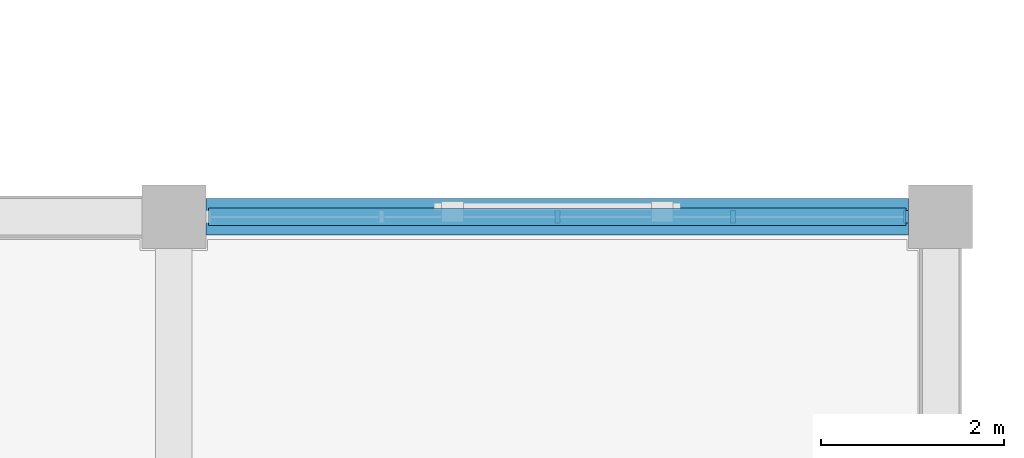
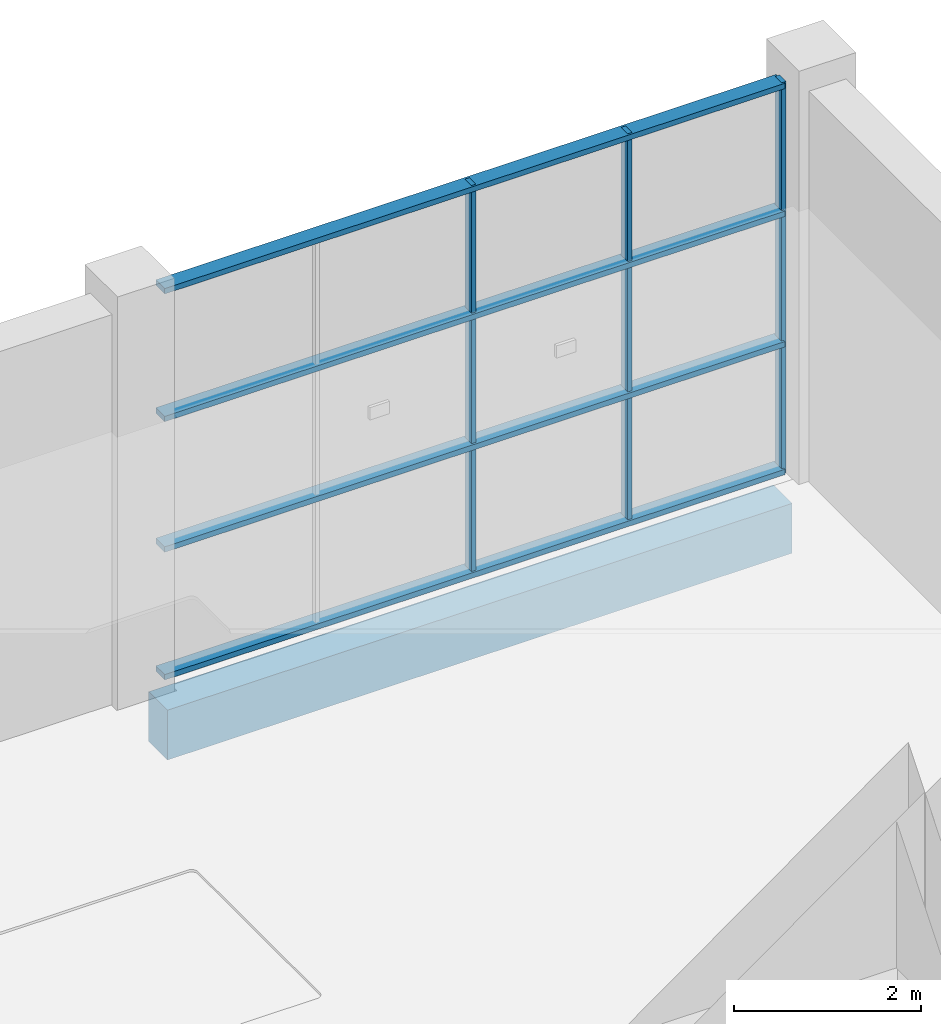
# One storey, part 33 of 72: 7 members, 1 beam, 1 element without a shape of its own.
"""IFC4 building model written with IfcOpenShell, lengths in metres."""

from ifc_helpers import new_model, si_unit, direction, frame, origin, origin_2d, place, context, subcontext, project, spatial, rectangle, extrude, material, material_profile, profile_set, type_object, element, aggregate, save


model = new_model("IFC4")

# Units and contexts
model_context = context("Model", 3, precision=1e-05, world=origin(), true_north=direction((0.0, 1.0)))
body_context = subcontext(model_context, "Body", "Model", "MODEL_VIEW")
ifc_project = project(units=[si_unit("LENGTHUNIT", "METRE"), si_unit("AREAUNIT", "SQUARE_METRE"), si_unit("VOLUMEUNIT", "CUBIC_METRE"), si_unit("PLANEANGLEUNIT", "RADIAN"), si_unit("MASSUNIT", "GRAM", prefix="KILO")], contexts=[model_context])

# Site, building, storey
site_placement = place(None, origin())
site = spatial("IfcSite", under=ifc_project, at=site_placement, CompositionType="ELEMENT")
building_placement = place(site_placement, origin())
building = spatial("IfcBuilding", under=site, at=building_placement, Name="Shalvenor Court Art Gallery", CompositionType="ELEMENT")
storey_placement = place(building_placement, frame((0.0, 0.0, 11.39990234375)))
storey = spatial("IfcBuildingStorey", under=building, at=storey_placement, Name="L02", CompositionType="ELEMENT", Elevation=11.39990234375)

# Beam
ifc_material_1 = material(Name="Concrete C40/50", Category="concrete")
ifc_material_profile_1 = material_profile(ifc_material_1, rectangle(XDim=0.39990234375, YDim=0.64990234375, at=origin_2d()), Name="RC 400x650")
ifc_profile_set_1 = profile_set([ifc_material_profile_1], Name="Concrete C40/50")
beam_type = type_object("IfcBeamType", Name="B-06", PredefinedType="BEAM", material=ifc_profile_set_1)
beam_placement = place(storey_placement, frame((168.35009765625, 97.199951171875, -0.64501953125), z_axis=(1.0, 0.0, 0.0), x_axis=(0.0, 1.0, 0.0)))
element("IfcBeam", 1, at=beam_placement, inside=storey, type_object=beam_type, Name="L02 Girder BM-L02-B-06-0883", PredefinedType="BEAM", context=body_context, shape_type="SweptSolid", body=[
    extrude(rectangle(XDim=0.39990234375, YDim=0.64990234375, at=origin_2d()), origin(), (0.0, 0.0, 1.0), 7.699951171875),
])

# Curtain wall, members
ifc_material_2 = material(Name="Anodised aluminium and low-iron glass curtain wall", Category="aluminium")
curtain_wall_type = type_object("IfcCurtainWallType", Name="CW-4x3-77-51-642", PredefinedType="USERDEFINED", material=ifc_material_2)
curtain_wall_placement = place(storey_placement, origin())
curtain_wall = element("IfcCurtainWall", 2, at=curtain_wall_placement, inside=storey, type_object=curtain_wall_type, Name="L02 V1 Curtain Wall CW-L02-011", ObjectType="CURTAIN WALL", PredefinedType="USERDEFINED")
ifc_material_3 = material(Name="Anodised aluminium mullion", Category="aluminium")
ifc_material_profile_2 = material_profile(ifc_material_3, rectangle(XDim=0.054931640625, YDim=0.139892578125, at=origin_2d()), Name="CWM-06")
ifc_profile_set_2 = profile_set([ifc_material_profile_2], Name="Anodised aluminium mullion")
member_type_1 = type_object("IfcMemberType", Name="CWM-06", PredefinedType="MULLION", material=ifc_profile_set_2)
member_1_placement = place(storey_placement, frame((172.199951171875, 97.199951171875, 0.0), z_axis=(0.0, 0.0, 1.0), x_axis=(1.0, 0.0, 0.0)))
member_1 = element("IfcMember", 3, at=member_1_placement, type_object=member_type_1, Name="CW-4x3-77-51-642 mullion 3", PredefinedType="MULLION", context=body_context, shape_type="SweptSolid", body=[
    extrude(rectangle(XDim=0.054931640625, YDim=0.139892578125, at=origin_2d()), origin(), (0.0, 0.0, 1.0), 5.10009765625),
])
member_2_placement = place(storey_placement, frame((174.125, 97.199951171875, 0.0), z_axis=(0.0, 0.0, 1.0), x_axis=(1.0, 0.0, 0.0)))
member_2 = element("IfcMember", 4, at=member_2_placement, type_object=member_type_1, Name="CW-4x3-77-51-642 mullion 4", PredefinedType="MULLION", context=body_context, shape_type="SweptSolid", body=[
    extrude(rectangle(XDim=0.054931640625, YDim=0.139892578125, at=origin_2d()), origin(), (0.0, 0.0, 1.0), 5.10009765625),
])
member_3_placement = place(storey_placement, frame((176.0224609375, 97.199951171875, 0.0), z_axis=(0.0, 0.0, 1.0), x_axis=(1.0, 0.0, 0.0)))
member_3 = element("IfcMember", 5, at=member_3_placement, type_object=member_type_1, Name="CW-4x3-77-51-642 mullion 5", PredefinedType="MULLION", context=body_context, shape_type="SweptSolid", body=[
    extrude(rectangle(XDim=0.054931640625, YDim=0.139892578125, at=origin_2d()), origin(), (0.0, 0.0, 1.0), 5.10009765625),
])
ifc_material_4 = material(Name="Anodised aluminium transom", Category="aluminium")
ifc_material_profile_3 = material_profile(ifc_material_4, rectangle(XDim=0.18994140625, YDim=0.070068359375, at=origin_2d()), Name="CWT-04")
ifc_profile_set_3 = profile_set([ifc_material_profile_3], Name="Anodised aluminium transom")
member_type_2 = type_object("IfcMemberType", Name="CWT-04", PredefinedType="USERDEFINED", material=ifc_profile_set_3)
member_4_placement = place(storey_placement, frame((168.37744140625, 97.199951171875, 0.03515625), z_axis=(1.0, 0.0, 0.0), x_axis=(0.0, 1.0, 0.0)))
member_4 = element("IfcMember", 6, at=member_4_placement, type_object=member_type_2, Name="CW-4x3-77-51-642 transom 1", ObjectType="TRANSOM", PredefinedType="USERDEFINED", context=body_context, shape_type="SweptSolid", body=[
    extrude(rectangle(XDim=0.18994140625, YDim=0.070068359375, at=origin_2d()), origin(), (0.0, 0.0, 1.0), 7.64501953125),
])
member_5_placement = place(storey_placement, frame((168.37744140625, 97.199951171875, 1.7001953125), z_axis=(1.0, 0.0, 0.0), x_axis=(0.0, 1.0, 0.0)))
member_5 = element("IfcMember", 7, at=member_5_placement, type_object=member_type_2, Name="CW-4x3-77-51-642 transom 2", ObjectType="TRANSOM", PredefinedType="USERDEFINED", context=body_context, shape_type="SweptSolid", body=[
    extrude(rectangle(XDim=0.18994140625, YDim=0.070068359375, at=origin_2d()), origin(), (0.0, 0.0, 1.0), 7.64501953125),
])
member_6_placement = place(storey_placement, frame((168.37744140625, 97.199951171875, 3.400146484375), z_axis=(1.0, 0.0, 0.0), x_axis=(0.0, 1.0, 0.0)))
member_6 = element("IfcMember", 8, at=member_6_placement, type_object=member_type_2, Name="CW-4x3-77-51-642 transom 3", ObjectType="TRANSOM", PredefinedType="USERDEFINED", context=body_context, shape_type="SweptSolid", body=[
    extrude(rectangle(XDim=0.18994140625, YDim=0.070068359375, at=origin_2d()), origin(), (0.0, 0.0, 1.0), 7.64501953125),
])
member_7_placement = place(storey_placement, frame((168.37744140625, 97.199951171875, 5.065185546875), z_axis=(1.0, 0.0, 0.0), x_axis=(0.0, 1.0, 0.0)))
member_7 = element("IfcMember", 9, at=member_7_placement, type_object=member_type_2, Name="CW-4x3-77-51-642 transom 4", ObjectType="TRANSOM", PredefinedType="USERDEFINED", context=body_context, shape_type="SweptSolid", body=[
    extrude(rectangle(XDim=0.18994140625, YDim=0.070068359375, at=origin_2d()), origin(), (0.0, 0.0, 1.0), 7.64501953125),
])
aggregate(curtain_wall, [member_1, member_2, member_3, member_4, member_5, member_6, member_7])

save(model, "model.ifc")
